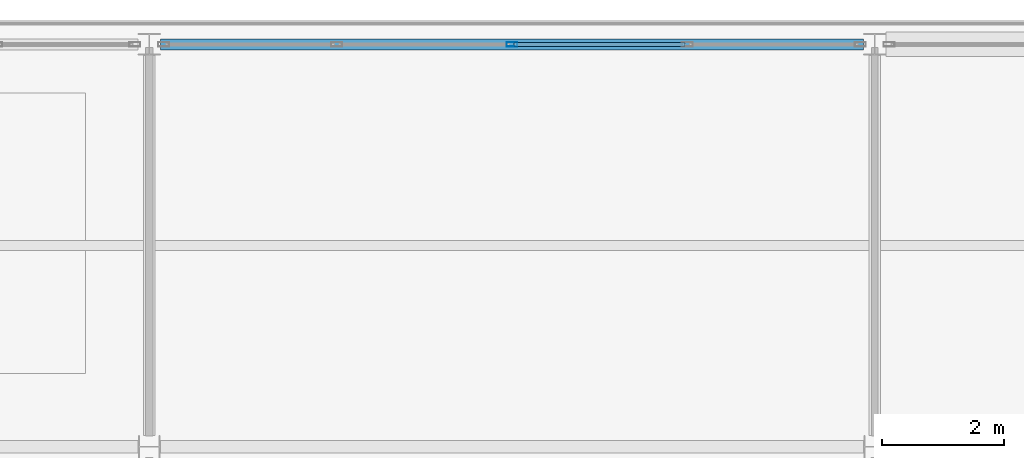
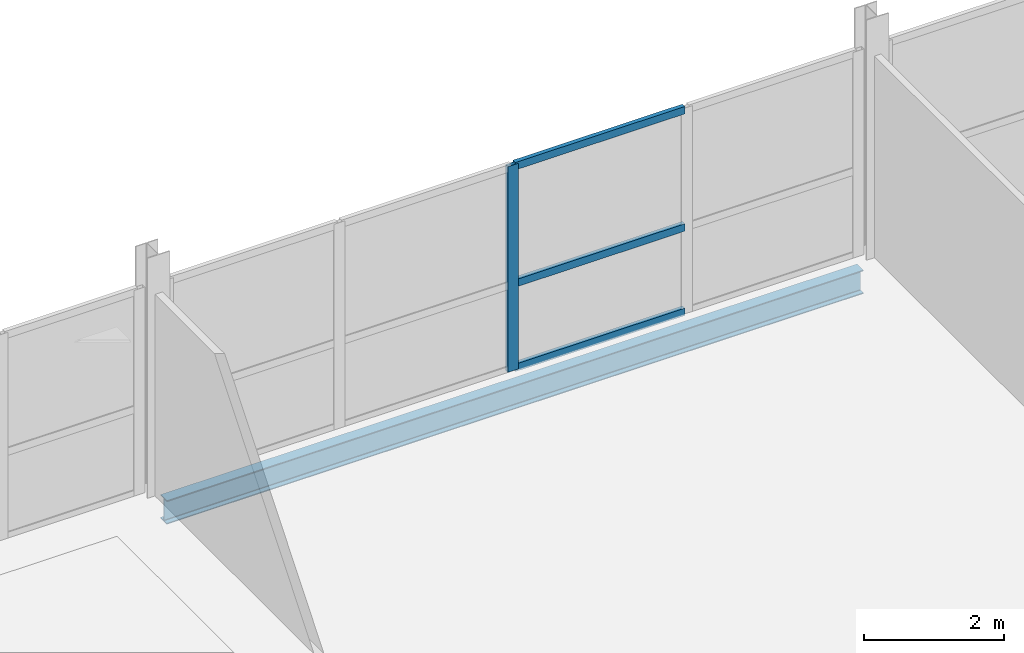
# One storey, part 8 of 17: 4 members, 1 beam, 1 element without a shape of its own.
"""IFC4 building model written with IfcOpenShell, lengths in metres."""

from ifc_helpers import new_model, si_unit, direction, frame, origin, origin_2d, place, context, subcontext, project, spatial, hollow_rectangle, i_section, extrude, material, layer, layer_set, material_profile, profile_set, type_object, element, aggregate, save


model = new_model("IFC4")

# Units and contexts
model_context = context("Model", 3, precision=1e-05, world=origin(), true_north=direction((0.0, 1.0)))
body_context = subcontext(model_context, "Body", "Model", "MODEL_VIEW")
ifc_project = project(units=[si_unit("LENGTHUNIT", "METRE"), si_unit("AREAUNIT", "SQUARE_METRE"), si_unit("VOLUMEUNIT", "CUBIC_METRE"), si_unit("PLANEANGLEUNIT", "RADIAN"), si_unit("MASSUNIT", "GRAM", prefix="KILO")], contexts=[model_context])

# Site, building, storey
site_placement = place(None, origin())
site = spatial("IfcSite", under=ifc_project, at=site_placement, CompositionType="ELEMENT")
building_placement = place(site_placement, origin())
building = spatial("IfcBuilding", under=site, at=building_placement, Name="Quillay Park Conservatory", CompositionType="ELEMENT")
storey_placement = place(building_placement, frame((0.0, 0.0, 47.699951171875)))
storey = spatial("IfcBuildingStorey", under=building, at=storey_placement, Name="L11", CompositionType="ELEMENT", Elevation=47.699951171875)

# Curtain wall, members
ifc_material_1 = material(Name="Thermally Broken Anodised Aluminium 6063-T6", Category="aluminium")
ifc_layer = layer(ifc_material_1, 0.179931640625)
ifc_layer_set = layer_set([ifc_layer], Name="UNITISED CURTAIN WALL TOWER (Thermally Broken Anodised Aluminium 6063-T6)")
curtain_wall_type = type_object("IfcCurtainWallType", Name="UNITISED CURTAIN WALL TOWER", PredefinedType="USERDEFINED", material=ifc_layer_set)
curtain_wall_placement = place(storey_placement, origin())
curtain_wall = element("IfcCurtainWall", 1, at=curtain_wall_placement, inside=storey, type_object=curtain_wall_type, Name="L11 Unitised Curtain Wall 111", ObjectType="UNITISED CURTAIN WALL", PredefinedType="USERDEFINED")
ifc_material_2 = material(Name="Thermally Broken Anodised Aluminium 6063-T6", Category="aluminium")
ifc_material_profile_1 = material_profile(ifc_material_2, hollow_rectangle(XDim=0.070068359375, YDim=0.179931640625, WallThickness=0.00390625, at=origin_2d()), Name="AL70x180x4")
ifc_profile_set_1 = profile_set([ifc_material_profile_1], Name="Thermally Broken Anodised Aluminium 6063-T6")
member_type_1 = type_object("IfcMemberType", Name="CURTAIN WALL MULLION 70 X180", PredefinedType="MULLION", material=ifc_profile_set_1)
member_1_placement = place(storey_placement, frame((13.800048828125, 113.39990234375, 0.0), z_axis=(0.0, 0.0, 1.0), x_axis=(0.0, 1.0, 0.0)))
member_1 = element("IfcMember", 2, at=member_1_placement, type_object=member_type_1, Name="CW-T1 mullion 3", PredefinedType="MULLION", context=body_context, shape_type="SweptSolid", body=[
    extrude(hollow_rectangle(XDim=0.070068359375, YDim=0.179931640625, WallThickness=0.00390625, at=origin_2d()), origin(), (0.0, 0.0, 1.0), 3.59912109375),
])
ifc_material_3 = material(Name="Thermally Broken Anodised Aluminium 6063-T6", Category="aluminium")
ifc_material_profile_2 = material_profile(ifc_material_3, hollow_rectangle(XDim=0.070068359375, YDim=0.1298828125, WallThickness=0.003173828125, at=origin_2d()), Name="AL70x130x3.2")
ifc_profile_set_2 = profile_set([ifc_material_profile_2], Name="Thermally Broken Anodised Aluminium 6063-T6")
member_type_2 = type_object("IfcMemberType", Name="CURTAIN WALL TRANSOM 70 X130", PredefinedType="USERDEFINED", material=ifc_profile_set_2)
member_2_placement = place(storey_placement, frame((13.8349609375, 113.39990234375, 0.03515625), z_axis=(1.0, 0.0, 0.0), x_axis=(0.0, 1.0, 0.0)))
member_2 = element("IfcMember", 3, at=member_2_placement, type_object=member_type_2, Name="CW-T1 transom 3.1", ObjectType="TRANSOM", PredefinedType="USERDEFINED", context=body_context, shape_type="SweptSolid", body=[
    extrude(hollow_rectangle(XDim=0.070068359375, YDim=0.1298828125, WallThickness=0.003173828125, at=origin_2d()), origin(), (0.0, 0.0, 1.0), 2.804931640625),
])
member_3_placement = place(storey_placement, frame((13.8349609375, 113.39990234375, 1.51171875), z_axis=(1.0, 0.0, 0.0), x_axis=(0.0, 1.0, 0.0)))
member_3 = element("IfcMember", 4, at=member_3_placement, type_object=member_type_2, Name="CW-T1 transom 3.2", ObjectType="TRANSOM", PredefinedType="USERDEFINED", context=body_context, shape_type="SweptSolid", body=[
    extrude(hollow_rectangle(XDim=0.070068359375, YDim=0.1298828125, WallThickness=0.003173828125, at=origin_2d()), origin(), (0.0, 0.0, 1.0), 2.804931640625),
])
member_4_placement = place(storey_placement, frame((13.8349609375, 113.39990234375, 3.56396484375), z_axis=(1.0, 0.0, 0.0), x_axis=(0.0, 1.0, 0.0)))
member_4 = element("IfcMember", 5, at=member_4_placement, type_object=member_type_2, Name="CW-T1 transom 3.3", ObjectType="TRANSOM", PredefinedType="USERDEFINED", context=body_context, shape_type="SweptSolid", body=[
    extrude(hollow_rectangle(XDim=0.070068359375, YDim=0.1298828125, WallThickness=0.003173828125, at=origin_2d()), origin(), (0.0, 0.0, 1.0), 2.804931640625),
])
aggregate(curtain_wall, [member_1, member_2, member_3, member_4])

# Beam
ifc_material_4 = material(Name="Steel ASTM A992 Grade 50", Category="steel")
ifc_material_profile_3 = material_profile(ifc_material_4, i_section(OverallWidth=0.179931640625, OverallDepth=0.4130859375, WebThickness=0.009765625, FlangeThickness=0.01611328125, FilletRadius=0.011962890625, at=origin_2d()), Name="W410x74")
ifc_profile_set_3 = profile_set([ifc_material_profile_3], Name="Steel ASTM A992 Grade 50")
beam_type = type_object("IfcBeamType", Name="PERIMETER SPANDREL BEAM W410 X74", PredefinedType="SPANDREL", material=ifc_profile_set_3)
beam_placement = place(storey_placement, frame((8.035400390625, 113.39990234375, -0.431396484375), z_axis=(1.0, 0.0, 0.0), x_axis=(0.0, 1.0, 0.0)))
element("IfcBeam", 6, at=beam_placement, inside=storey, type_object=beam_type, Name="L11 beam BM-SP-0785", PredefinedType="SPANDREL", context=body_context, shape_type="SweptSolid", body=[
    extrude(i_section(OverallWidth=0.179931640625, OverallDepth=0.4130859375, WebThickness=0.009765625, FlangeThickness=0.01611328125, FilletRadius=0.011962890625, at=origin_2d()), origin(), (0.0, 0.0, 1.0), 11.529052734375),
])

save(model, "model.ifc")
